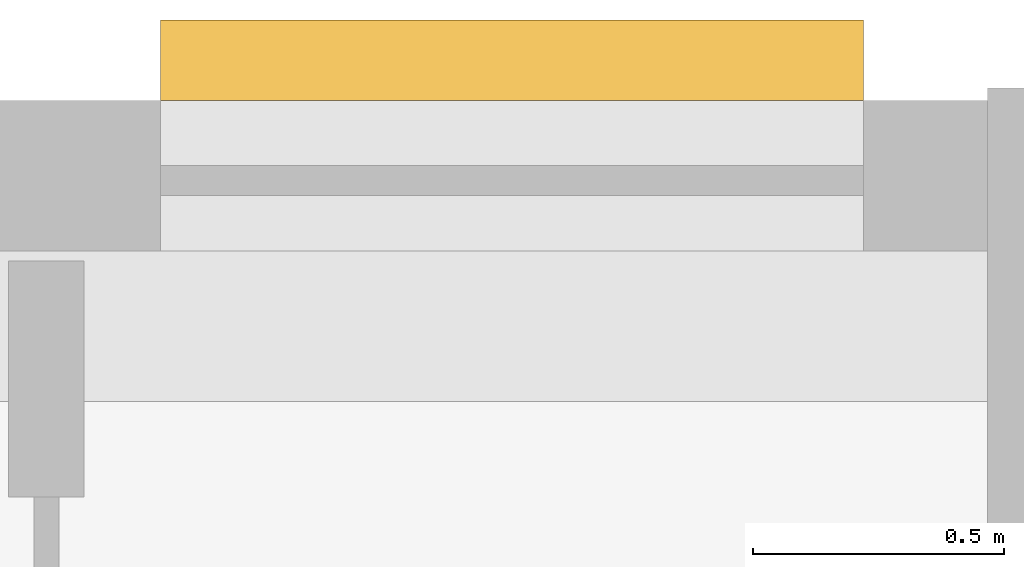
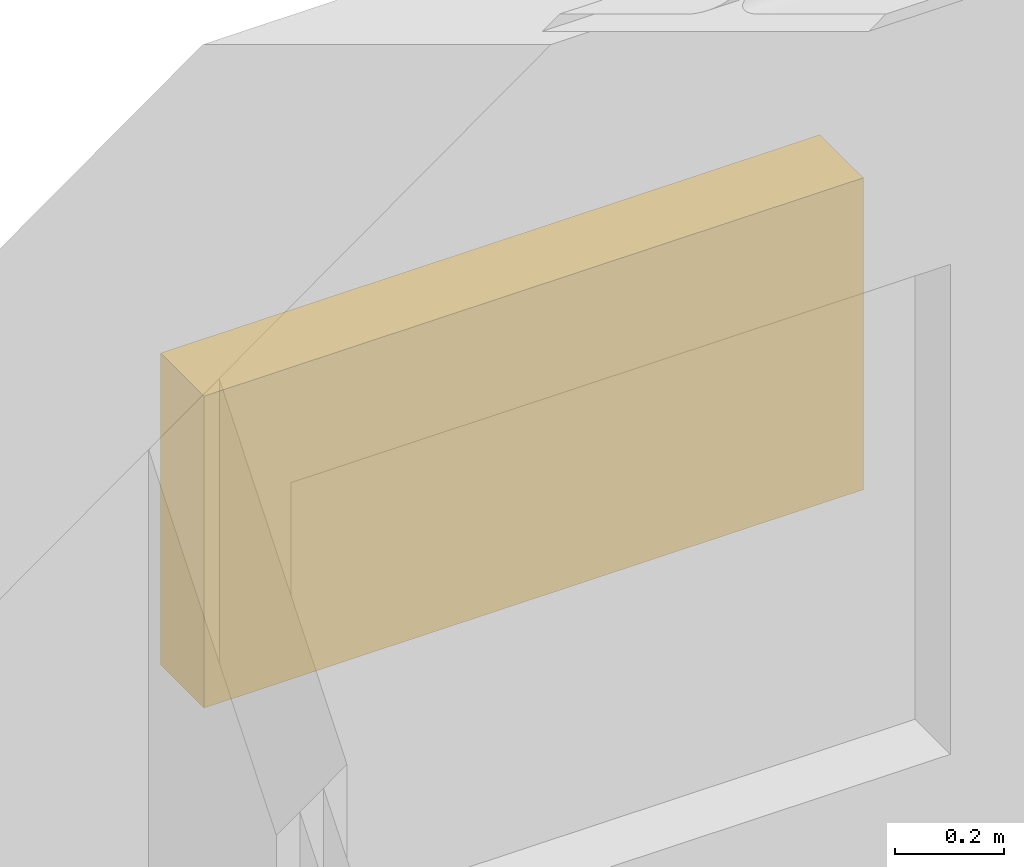
# One storey, part 11 of 11: 1 shading device.
"""IFC4 building model written with IfcOpenShell, lengths in metres."""

from ifc_helpers import new_model, si_unit, direction, frame, origin, origin_2d, place, context, subcontext, project, spatial, rectangle, extrude, material, type_object, element, save


model = new_model("IFC4")

# Units and contexts
model_context = context("Model", 3, precision=1e-05, world=origin(), true_north=direction((0.0, 1.0)))
body_context = subcontext(model_context, "Body", "Model", "MODEL_VIEW")
ifc_project = project(units=[si_unit("LENGTHUNIT", "METRE"), si_unit("AREAUNIT", "SQUARE_METRE"), si_unit("VOLUMEUNIT", "CUBIC_METRE"), si_unit("PLANEANGLEUNIT", "RADIAN"), si_unit("MASSUNIT", "GRAM", prefix="KILO")], contexts=[model_context])

# Site, building, storey
site_placement = place(None, origin())
site = spatial("IfcSite", under=ifc_project, at=site_placement, CompositionType="ELEMENT")
building_placement = place(site_placement, origin())
building = spatial("IfcBuilding", under=site, at=building_placement, Name="Orvandelia Arch Residences", CompositionType="ELEMENT")
storey_placement = place(building_placement, frame((0.0, 0.0, 146.800048828125)))
storey = spatial("IfcBuildingStorey", under=building, at=storey_placement, Name="L38", CompositionType="ELEMENT", Elevation=146.800048828125)

# Shading device
ifc_material = material(Name="Anodised Champagne-Bronze Extruded Aluminium", Category="aluminium")
shading_device_type = type_object("IfcShadingDeviceType", Name="SHD-JALOUSIE-SCREEN", PredefinedType="JALOUSIE", material=ifc_material)
shading_device_placement = place(storey_placement, frame((12.9775390625, 48.080078125, 1.0498046875), z_axis=(0.0, 0.0, 1.0), x_axis=(1.0, 0.0, 0.0)))
element("IfcShadingDevice", 1, at=shading_device_placement, inside=storey, type_object=shading_device_type, Name="Bronze Jalousie Sun-Shade L38-001", PredefinedType="JALOUSIE", context=body_context, shape_type="SweptSolid", body=[
    extrude(rectangle(XDim=1.39990234375, YDim=0.159912109375, at=origin_2d()), origin(), (0.0, 0.0, 1.0), 0.699951171875),
])

save(model, "model.ifc")
